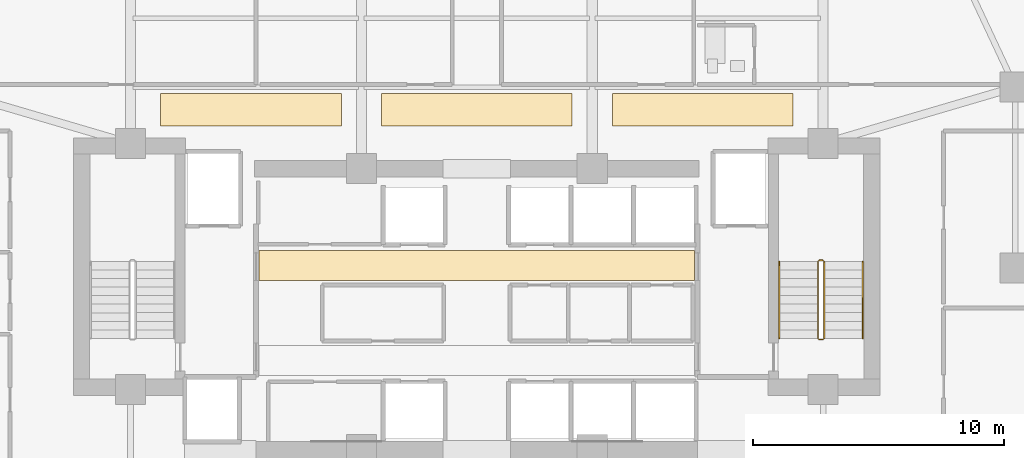
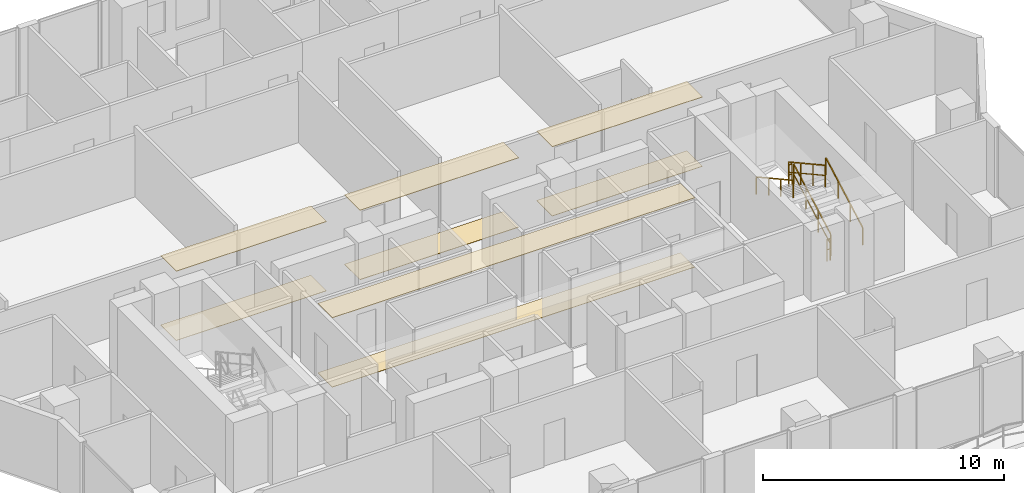
# One storey, part 31 of 33: 8 coverings, 6 railings.
"""IFC4 building model written with IfcOpenShell, lengths in metres."""

from ifc_helpers import new_model, si_unit, direction, frame, origin, origin_2d, place, context, subcontext, project, spatial, polyline, rectangle, outline, extrude, material, layer, layer_set, type_object, element, save


model = new_model("IFC4")

# Units and contexts
model_context = context("Model", 3, precision=1e-05, world=origin(), true_north=direction((0.0, 1.0)))
body_context = subcontext(model_context, "Body", "Model", "MODEL_VIEW")
ifc_project = project(units=[si_unit("LENGTHUNIT", "METRE"), si_unit("AREAUNIT", "SQUARE_METRE"), si_unit("VOLUMEUNIT", "CUBIC_METRE"), si_unit("PLANEANGLEUNIT", "RADIAN"), si_unit("MASSUNIT", "GRAM", prefix="KILO")], contexts=[model_context])

# Site, building, storey
site_placement = place(None, origin())
site = spatial("IfcSite", under=ifc_project, at=site_placement, CompositionType="ELEMENT")
building_placement = place(site_placement, origin())
building = spatial("IfcBuilding", under=site, at=building_placement, Name="Zuhayl Quay Hotel", CompositionType="ELEMENT")
storey_placement = place(building_placement, frame((0.0, 0.0, 222.39990234375)))
storey = spatial("IfcBuildingStorey", under=building, at=storey_placement, Name="L56", CompositionType="ELEMENT", Elevation=222.39990234375)

# Coverings
ifc_material_1 = material(Name="Acoustic Mineral-Fibre Gypsum Board")
ifc_layer_1 = layer(ifc_material_1, 0.02490234375, Name="Acoustic Mineral-Fibre Gypsum Board")
ifc_layer_set_1 = layer_set([ifc_layer_1], Name="Acoustic Mineral-Fibre Gypsum Board")
covering_type_1 = type_object("IfcCoveringType", Name="CV_CEIL_ACOUSTIC", PredefinedType="CEILING", material=ifc_layer_set_1)
covering_1_placement = place(storey_placement, frame((0.0, 0.0, 3.505126953125)))
element("IfcCovering", 1, at=covering_1_placement, inside=storey, type_object=covering_type_1, Name="L56 Suspended Acoustic Lobby Ceiling N", PredefinedType="CEILING", context=body_context, shape_type="SweptSolid", body=[
    extrude(outline(polyline([(-8.679931640625, 8.89990234375), (8.679931640625, 8.89990234375), (8.679931640625, 10.10009765625), (-8.679931640625, 10.10009765625), (-8.679931640625, 8.89990234375)])), origin(), (0.0, 0.0, 1.0), 0.02490234375),
])
covering_2_placement = place(storey_placement, frame((0.0, 0.0, 3.505126953125)))
element("IfcCovering", 2, at=covering_2_placement, inside=storey, type_object=covering_type_1, Name="L56 Guest Corridor Acoustic Ceiling CW", PredefinedType="CEILING", context=body_context, shape_type="SweptSolid", body=[
    extrude(outline(polyline([(-12.60009765625, 15.050048828125), (-5.39990234375, 15.050048828125), (-5.39990234375, 16.35009765625), (-12.60009765625, 16.35009765625), (-12.60009765625, 15.050048828125)])), origin(), (0.0, 0.0, 1.0), 0.02490234375),
])
covering_3_placement = place(storey_placement, frame((0.0, 0.0, 3.505126953125)))
element("IfcCovering", 3, at=covering_3_placement, inside=storey, type_object=covering_type_1, Name="L56 Guest Corridor Acoustic Ceiling CC", PredefinedType="CEILING", context=body_context, shape_type="SweptSolid", body=[
    extrude(outline(polyline([(-3.800048828125, 15.050048828125), (3.800048828125, 15.050048828125), (3.800048828125, 16.35009765625), (-3.800048828125, 16.35009765625), (-3.800048828125, 15.050048828125)])), origin(), (0.0, 0.0, 1.0), 0.02490234375),
])
covering_4_placement = place(storey_placement, frame((0.0, 0.0, 3.505126953125)))
element("IfcCovering", 4, at=covering_4_placement, inside=storey, type_object=covering_type_1, Name="L56 Guest Corridor Acoustic Ceiling CE", PredefinedType="CEILING", context=body_context, shape_type="SweptSolid", body=[
    extrude(outline(polyline([(5.39990234375, 15.050048828125), (12.60009765625, 15.050048828125), (12.60009765625, 16.35009765625), (5.39990234375, 16.35009765625), (5.39990234375, 15.050048828125)])), origin(), (0.0, 0.0, 1.0), 0.02490234375),
])
ifc_material_2 = material(Name="Polished Limestone Terrazzo", Category="masonry")
ifc_layer_2 = layer(ifc_material_2, 0.02001953125, Name="Polished Limestone Terrazzo", Category="masonry")
ifc_layer_set_2 = layer_set([ifc_layer_2], Name="Polished Limestone Terrazzo")
covering_type_2 = type_object("IfcCoveringType", Name="CV_FLOOR_TERRAZZO", PredefinedType="FLOORING", material=ifc_layer_set_2)
covering_5_placement = place(storey_placement, origin())
element("IfcCovering", 5, at=covering_5_placement, inside=storey, type_object=covering_type_2, Name="L56 Honed Limestone Terrazzo Lobby Flooring N", PredefinedType="FLOORING", context=body_context, shape_type="SweptSolid", body=[
    extrude(outline(polyline([(-8.679931640625, 8.89990234375), (8.679931640625, 8.89990234375), (8.679931640625, 10.10009765625), (-8.679931640625, 10.10009765625), (-8.679931640625, 8.89990234375)])), origin(), (0.0, 0.0, 1.0), 0.02001953125),
])
covering_6_placement = place(storey_placement, origin())
element("IfcCovering", 6, at=covering_6_placement, inside=storey, type_object=covering_type_2, Name="L56 Guest Corridor Terrazzo Runner CW", PredefinedType="FLOORING", context=body_context, shape_type="SweptSolid", body=[
    extrude(outline(polyline([(-12.60009765625, 15.050048828125), (-5.39990234375, 15.050048828125), (-5.39990234375, 16.35009765625), (-12.60009765625, 16.35009765625), (-12.60009765625, 15.050048828125)])), origin(), (0.0, 0.0, 1.0), 0.02001953125),
])
covering_7_placement = place(storey_placement, origin())
element("IfcCovering", 7, at=covering_7_placement, inside=storey, type_object=covering_type_2, Name="L56 Guest Corridor Terrazzo Runner CC", PredefinedType="FLOORING", context=body_context, shape_type="SweptSolid", body=[
    extrude(outline(polyline([(-3.800048828125, 15.050048828125), (3.800048828125, 15.050048828125), (3.800048828125, 16.35009765625), (-3.800048828125, 16.35009765625), (-3.800048828125, 15.050048828125)])), origin(), (0.0, 0.0, 1.0), 0.02001953125),
])
covering_8_placement = place(storey_placement, origin())
element("IfcCovering", 8, at=covering_8_placement, inside=storey, type_object=covering_type_2, Name="L56 Guest Corridor Terrazzo Runner CE", PredefinedType="FLOORING", context=body_context, shape_type="SweptSolid", body=[
    extrude(outline(polyline([(5.39990234375, 15.050048828125), (12.60009765625, 15.050048828125), (12.60009765625, 16.35009765625), (5.39990234375, 16.35009765625), (5.39990234375, 15.050048828125)])), origin(), (0.0, 0.0, 1.0), 0.02001953125),
])

# Railings
ifc_material_3 = material(Name="Steel ASTM A992 Grade 50", Category="steel")
railing_type_1 = type_object("IfcRailingType", Name="RL_GUARD_1100", PredefinedType="GUARDRAIL", material=ifc_material_3)
railing_1_placement = place(storey_placement, frame((13.840087890625, 6.590087890625, 0.1875)))
element("IfcRailing", 9, at=railing_1_placement, inside=storey, type_object=railing_type_1, Name="L56 ST2 stair guard 1", PredefinedType="GUARDRAIL", context=body_context, shape_type="SweptSolid", body=[
    extrude(rectangle(XDim=0.048095703125, YDim=0.048095703125, at=origin_2d()), frame((0.0, 0.0, 1.09619140625), z_axis=(0.0, 0.875659195171, 0.482929574485), x_axis=(-1.0, 0.0, 0.0)), (0.0, 0.0, 1.0), 3.494384765625),
    extrude(rectangle(XDim=0.0361328125, YDim=0.0361328125, at=origin_2d()), frame((0.0, 0.0, 0.58251953125), z_axis=(0.0, 0.875659195171, 0.482929574485), x_axis=(-1.0, 0.0, 0.0)), (0.0, 0.0, 1.0), 3.494384765625),
    extrude(rectangle(XDim=0.0419921875, YDim=0.0419921875, at=origin_2d()), origin(), (0.0, 0.0, 1.0), 1.072021484375),
    extrude(rectangle(XDim=0.0419921875, YDim=0.0419921875, at=origin_2d()), frame((0.0, 1.02001953125, 0.5625)), (0.0, 0.0, 1.0), 1.072021484375),
    extrude(rectangle(XDim=0.0419921875, YDim=0.0419921875, at=origin_2d()), frame((0.0, 2.039794921875, 1.125)), (0.0, 0.0, 1.0), 1.072021484375),
    extrude(rectangle(XDim=0.0419921875, YDim=0.0419921875, at=origin_2d()), frame((0.0, 3.059814453125, 1.6875)), (0.0, 0.0, 1.0), 1.072021484375),
])
railing_2_placement = place(storey_placement, frame((13.7900390625, 9.699951171875, 1.875)))
element("IfcRailing", 10, at=railing_2_placement, inside=storey, type_object=railing_type_1, Name="L56 ST2 stair guard 2", PredefinedType="GUARDRAIL", context=body_context, shape_type="SweptSolid", body=[
    extrude(rectangle(XDim=0.048095703125, YDim=0.048095703125, at=origin_2d()), frame((0.0, 0.0, 1.09619140625), z_axis=(-1.0, 0.0, 0.0), x_axis=(0.0, -1.0, 0.0)), (0.0, 0.0, 1.0), 0.150146484375),
    extrude(rectangle(XDim=0.0361328125, YDim=0.0361328125, at=origin_2d()), frame((0.0, 0.0, 0.58251953125), z_axis=(-1.0, 0.0, 0.0), x_axis=(0.0, -1.0, 0.0)), (0.0, 0.0, 1.0), 0.150146484375),
    extrude(rectangle(XDim=0.0419921875, YDim=0.0419921875, at=origin_2d()), origin(), (0.0, 0.0, 1.0), 1.072021484375),
    extrude(rectangle(XDim=0.0419921875, YDim=0.0419921875, at=origin_2d()), frame((-0.150146484375, 0.0, 0.0)), (0.0, 0.0, 1.0), 1.072021484375),
])
railing_3_placement = place(storey_placement, frame((13.590087890625, 9.64990234375, 2.0625)))
element("IfcRailing", 11, at=railing_3_placement, inside=storey, type_object=railing_type_1, Name="L56 ST2 stair guard 3", PredefinedType="GUARDRAIL", context=body_context, shape_type="SweptSolid", body=[
    extrude(rectangle(XDim=0.048095703125, YDim=0.048095703125, at=origin_2d()), frame((0.0, 0.0, 1.09619140625), z_axis=(0.0, -0.875659195171, 0.482929574485), x_axis=(1.0, 0.0, 0.0)), (0.0, 0.0, 1.0), 3.494384765625),
    extrude(rectangle(XDim=0.0361328125, YDim=0.0361328125, at=origin_2d()), frame((0.0, 0.0, 0.58251953125), z_axis=(0.0, -0.875659195171, 0.482929574485), x_axis=(1.0, 0.0, 0.0)), (0.0, 0.0, 1.0), 3.494384765625),
    extrude(rectangle(XDim=0.0419921875, YDim=0.0419921875, at=origin_2d()), origin(), (0.0, 0.0, 1.0), 1.072021484375),
    extrude(rectangle(XDim=0.0419921875, YDim=0.0419921875, at=origin_2d()), frame((0.0, -1.02001953125, 0.5625)), (0.0, 0.0, 1.0), 1.072021484375),
    extrude(rectangle(XDim=0.0419921875, YDim=0.0419921875, at=origin_2d()), frame((0.0, -2.039794921875, 1.125)), (0.0, 0.0, 1.0), 1.072021484375),
    extrude(rectangle(XDim=0.0419921875, YDim=0.0419921875, at=origin_2d()), frame((0.0, -3.059814453125, 1.6875)), (0.0, 0.0, 1.0), 1.072021484375),
])
railing_4_placement = place(storey_placement, frame((13.7900390625, 6.5400390625, 0.0)))
element("IfcRailing", 12, at=railing_4_placement, inside=storey, type_object=railing_type_1, Name="L56 ST2 stair guard 4", PredefinedType="GUARDRAIL", context=body_context, shape_type="SweptSolid", body=[
    extrude(rectangle(XDim=0.048095703125, YDim=0.048095703125, at=origin_2d()), frame((0.0, 0.0, 1.09619140625), z_axis=(-1.0, 0.0, 0.0), x_axis=(0.0, -1.0, 0.0)), (0.0, 0.0, 1.0), 0.150146484375),
    extrude(rectangle(XDim=0.0361328125, YDim=0.0361328125, at=origin_2d()), frame((0.0, 0.0, 0.58251953125), z_axis=(-1.0, 0.0, 0.0), x_axis=(0.0, -1.0, 0.0)), (0.0, 0.0, 1.0), 0.150146484375),
    extrude(rectangle(XDim=0.0419921875, YDim=0.0419921875, at=origin_2d()), origin(), (0.0, 0.0, 1.0), 1.072021484375),
    extrude(rectangle(XDim=0.0419921875, YDim=0.0419921875, at=origin_2d()), frame((-0.150146484375, 0.0, 0.0)), (0.0, 0.0, 1.0), 1.072021484375),
])
railing_type_2 = type_object("IfcRailingType", Name="RL_HANDRAIL_920", PredefinedType="HANDRAIL", material=ifc_material_3)
railing_5_placement = place(storey_placement, frame((15.3798828125, 6.590087890625, 0.1875)))
element("IfcRailing", 13, at=railing_5_placement, inside=storey, type_object=railing_type_2, Name="L56 ST2 stair handrail 1", PredefinedType="HANDRAIL", context=body_context, shape_type="SweptSolid", body=[
    extrude(rectangle(XDim=0.048095703125, YDim=0.048095703125, at=origin_2d()), frame((0.0, 0.0, 0.8759765625), z_axis=(0.0, 0.875659195171, 0.482929574485), x_axis=(-1.0, 0.0, 0.0)), (0.0, 0.0, 1.0), 3.494384765625),
    extrude(rectangle(XDim=0.0419921875, YDim=0.0419921875, at=origin_2d()), origin(), (0.0, 0.0, 1.0), 0.851806640625),
    extrude(rectangle(XDim=0.0419921875, YDim=0.0419921875, at=origin_2d()), frame((0.0, 1.02001953125, 0.5625)), (0.0, 0.0, 1.0), 0.851806640625),
    extrude(rectangle(XDim=0.0419921875, YDim=0.0419921875, at=origin_2d()), frame((0.0, 2.039794921875, 1.125)), (0.0, 0.0, 1.0), 0.851806640625),
    extrude(rectangle(XDim=0.0419921875, YDim=0.0419921875, at=origin_2d()), frame((0.0, 3.059814453125, 1.6875)), (0.0, 0.0, 1.0), 0.851806640625),
])
railing_6_placement = place(storey_placement, frame((12.050048828125, 9.64990234375, 2.0625)))
element("IfcRailing", 14, at=railing_6_placement, inside=storey, type_object=railing_type_2, Name="L56 ST2 stair handrail 2", PredefinedType="HANDRAIL", context=body_context, shape_type="SweptSolid", body=[
    extrude(rectangle(XDim=0.048095703125, YDim=0.048095703125, at=origin_2d()), frame((0.0, 0.0, 0.8759765625), z_axis=(0.0, -0.875659195171, 0.482929574485), x_axis=(1.0, 0.0, 0.0)), (0.0, 0.0, 1.0), 3.494384765625),
    extrude(rectangle(XDim=0.0419921875, YDim=0.0419921875, at=origin_2d()), origin(), (0.0, 0.0, 1.0), 0.851806640625),
    extrude(rectangle(XDim=0.0419921875, YDim=0.0419921875, at=origin_2d()), frame((0.0, -1.02001953125, 0.5625)), (0.0, 0.0, 1.0), 0.851806640625),
    extrude(rectangle(XDim=0.0419921875, YDim=0.0419921875, at=origin_2d()), frame((0.0, -2.039794921875, 1.125)), (0.0, 0.0, 1.0), 0.851806640625),
    extrude(rectangle(XDim=0.0419921875, YDim=0.0419921875, at=origin_2d()), frame((0.0, -3.059814453125, 1.6875)), (0.0, 0.0, 1.0), 0.851806640625),
])

save(model, "model.ifc")
